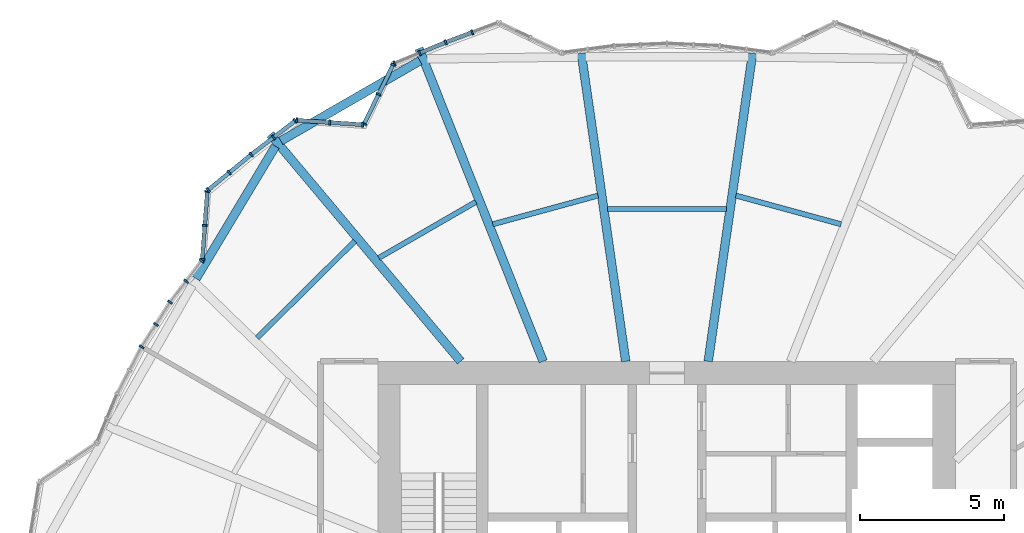
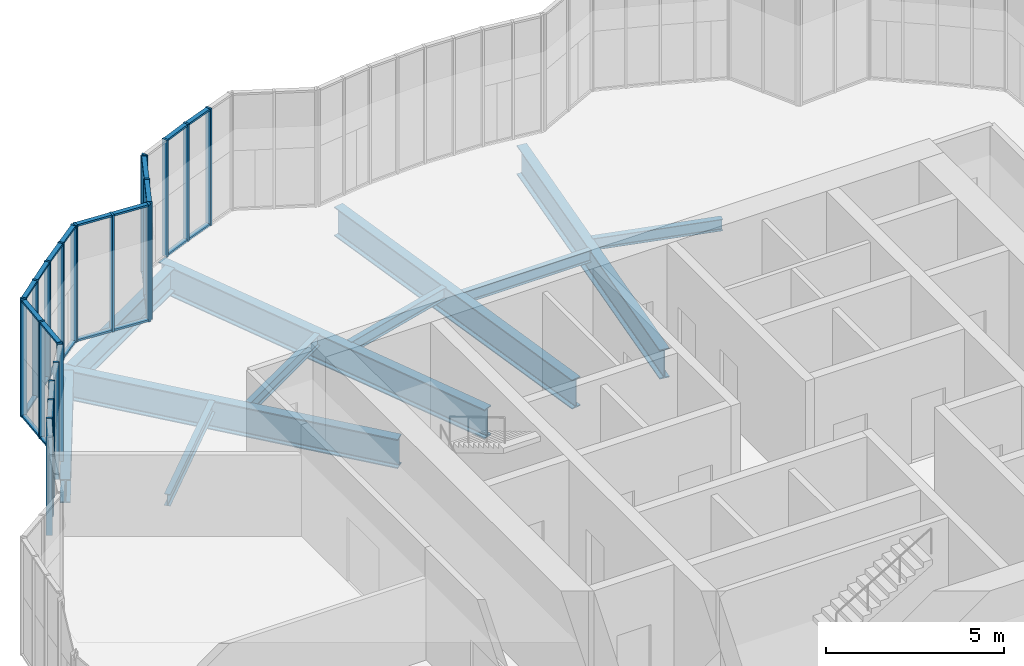
# One storey, part 6 of 22: 47 members, 11 beams, 9 elements without a shape of their own.
"""IFC4 building model written with IfcOpenShell, lengths in metres."""

from ifc_helpers import new_model, si_unit, direction, frame, origin, origin_2d, place, context, subcontext, project, spatial, rectangle, i_section, extrude, material, material_profile, profile_set, type_object, element, aggregate, save


model = new_model("IFC4")

# Units and contexts
model_context = context("Model", 3, precision=1e-05, world=origin(), true_north=direction((0.0, 1.0)))
body_context = subcontext(model_context, "Body", "Model", "MODEL_VIEW")
ifc_project = project(units=[si_unit("LENGTHUNIT", "METRE"), si_unit("AREAUNIT", "SQUARE_METRE"), si_unit("VOLUMEUNIT", "CUBIC_METRE"), si_unit("PLANEANGLEUNIT", "RADIAN"), si_unit("MASSUNIT", "GRAM", prefix="KILO")], contexts=[model_context])

# Site, building, storey
site_placement = place(None, origin())
site = spatial("IfcSite", under=ifc_project, at=site_placement, CompositionType="ELEMENT")
building_placement = place(site_placement, origin())
building = spatial("IfcBuilding", under=site, at=building_placement, Name="Golbaran Civic Tower", CompositionType="ELEMENT")
storey_placement = place(building_placement, frame((0.0, 0.0, 29.0)))
storey = spatial("IfcBuildingStorey", under=building, at=storey_placement, Name="L06", CompositionType="ELEMENT", Elevation=29.0)

# Beams
ifc_material_1 = material(Name="Steel S355", Category="steel")
ifc_material_profile_1 = material_profile(ifc_material_1, i_section(OverallWidth=0.300048828125, OverallDepth=0.800048828125, WebThickness=0.017578125, FlangeThickness=0.032958984375, FilletRadius=0.030029296875, at=origin_2d()), Name="HEB 800")
ifc_profile_set_1 = profile_set([ifc_material_profile_1], Name="Steel S355")
beam_type_1 = type_object("IfcBeamType", Name="EDGE BEAM HEB 800", PredefinedType="BEAM", material=ifc_profile_set_1)
beam_1_placement = place(storey_placement, frame((-8.5556640625, 20.40771484375, -0.60009765625), z_axis=(-0.866363940205, -0.499413178753, 0.0), x_axis=(0.499413178753, -0.866363940205, 0.0)))
element("IfcBeam", 1, at=beam_1_placement, inside=storey, type_object=beam_type_1, Name="Edge beam 112.37 L06", PredefinedType="BEAM", context=body_context, shape_type="SweptSolid", body=[
    extrude(i_section(OverallWidth=0.300048828125, OverallDepth=0.800048828125, WebThickness=0.017578125, FlangeThickness=0.032958984375, FilletRadius=0.030029296875, at=origin_2d()), origin(), (0.0, 0.0, 1.0), 5.558837890625),
])
beam_2_placement = place(storey_placement, frame((-13.556884765625, 17.447509765625, -0.60009765625), z_axis=(-0.514509191059, -0.85748486419, 0.0), x_axis=(0.85748486419, -0.514509191059, 0.0)))
element("IfcBeam", 2, at=beam_2_placement, inside=storey, type_object=beam_type_1, Name="Edge beam 127.63 L06", PredefinedType="BEAM", context=body_context, shape_type="SweptSolid", body=[
    extrude(i_section(OverallWidth=0.300048828125, OverallDepth=0.800048828125, WebThickness=0.017578125, FlangeThickness=0.032958984375, FilletRadius=0.030029296875, at=origin_2d()), origin(), (0.0, 0.0, 1.0), 5.344482421875),
])
ifc_material_profile_2 = material_profile(ifc_material_1, i_section(OverallWidth=0.179931640625, OverallDepth=0.39990234375, WebThickness=0.008544921875, FlangeThickness=0.013427734375, FilletRadius=0.02099609375, at=origin_2d()), Name="IPE 400")
ifc_profile_set_2 = profile_set([ifc_material_profile_2], Name="Steel S355")
beam_type_2 = type_object("IfcBeamType", Name="FLOOR INFILL BEAM IPE 400", PredefinedType="BEAM", material=ifc_profile_set_2)
beam_3_placement = place(storey_placement, frame((6.029052734375, 14.745849609375, -0.39990234375), z_axis=(-0.964690661411, 0.263385511726, 0.0), x_axis=(-0.263385511726, -0.964690661411, 0.0)))
element("IfcBeam", 3, at=beam_3_placement, inside=storey, type_object=beam_type_2, Name="Infill beam 74.73 L06", PredefinedType="BEAM", context=body_context, shape_type="SweptSolid", body=[
    extrude(i_section(OverallWidth=0.179931640625, OverallDepth=0.39990234375, WebThickness=0.008544921875, FlangeThickness=0.013427734375, FilletRadius=0.02099609375, at=origin_2d()), origin(), (0.0, 0.0, 1.0), 3.775390625),
])
beam_4_placement = place(storey_placement, frame((2.056884765625, 15.271728515625, -0.39990234375), z_axis=(-1.0, 0.0, 0.0), x_axis=(0.0, -1.0, 0.0)))
element("IfcBeam", 4, at=beam_4_placement, inside=storey, type_object=beam_type_2, Name="Infill beam 90.00 L06", PredefinedType="BEAM", context=body_context, shape_type="SweptSolid", body=[
    extrude(i_section(OverallWidth=0.179931640625, OverallDepth=0.39990234375, WebThickness=0.008544921875, FlangeThickness=0.013427734375, FilletRadius=0.02099609375, at=origin_2d()), origin(), (0.0, 0.0, 1.0), 4.11376953125),
])
beam_5_placement = place(storey_placement, frame((-2.386962890625, 15.740234375, -0.39990234375), z_axis=(-0.964690661411, -0.263385511726, 0.0), x_axis=(0.263385511726, -0.964690661411, 0.0)))
element("IfcBeam", 5, at=beam_5_placement, inside=storey, type_object=beam_type_2, Name="Infill beam 105.27 L06", PredefinedType="BEAM", context=body_context, shape_type="SweptSolid", body=[
    extrude(i_section(OverallWidth=0.179931640625, OverallDepth=0.39990234375, WebThickness=0.008544921875, FlangeThickness=0.013427734375, FilletRadius=0.02099609375, at=origin_2d()), origin(), (0.0, 0.0, 1.0), 3.775390625),
])
beam_6_placement = place(storey_placement, frame((-6.616455078125, 15.521240234375, -0.39990234375), z_axis=(-0.866023143435, -0.50000391502, 0.0), x_axis=(0.50000391502, -0.866023143435, 0.0)))
element("IfcBeam", 6, at=beam_6_placement, inside=storey, type_object=beam_type_2, Name="Infill beam 120.00 L06", PredefinedType="BEAM", context=body_context, shape_type="SweptSolid", body=[
    extrude(i_section(OverallWidth=0.179931640625, OverallDepth=0.39990234375, WebThickness=0.008544921875, FlangeThickness=0.013427734375, FilletRadius=0.02099609375, at=origin_2d()), origin(), (0.0, 0.0, 1.0), 3.87939453125),
])
beam_7_placement = place(storey_placement, frame((-10.805419921875, 14.166015625, -0.39990234375), z_axis=(-0.710429956517, -0.703767914077, 0.0), x_axis=(0.703767914077, -0.710429956517, 0.0)))
element("IfcBeam", 7, at=beam_7_placement, inside=storey, type_object=beam_type_2, Name="Infill beam 134.73 L06", PredefinedType="BEAM", context=body_context, shape_type="SweptSolid", body=[
    extrude(i_section(OverallWidth=0.179931640625, OverallDepth=0.39990234375, WebThickness=0.008544921875, FlangeThickness=0.013427734375, FilletRadius=0.02099609375, at=origin_2d()), origin(), (0.0, 0.0, 1.0), 4.76416015625),
])

# Curtain wall, members
ifc_material_2 = material(Name="Aluminium and glass", Category="aluminium")
curtain_wall_type = type_object("IfcCurtainWallType", Name="INNER SKIN CURTAIN WALL", PredefinedType="NOTDEFINED", material=ifc_material_2)
curtain_wall_1_placement = place(storey_placement, origin())
curtain_wall_1 = element("IfcCurtainWall", 8, at=curtain_wall_1_placement, inside=storey, type_object=curtain_wall_type, Name="Inner skin L06 facet 22 CW1", ObjectType="INNER SKIN", PredefinedType="USERDEFINED")
ifc_material_3 = material(Name="Aluminium", Category="aluminium")
ifc_material_profile_3 = material_profile(ifc_material_3, rectangle(XDim=0.179931640625, YDim=0.06494140625, at=origin_2d()), Name="INNER SKIN CURTAIN WALL MULLION")
ifc_profile_set_3 = profile_set([ifc_material_profile_3], Name="Aluminium")
member_type_1 = type_object("IfcMemberType", Name="INNER SKIN CURTAIN WALL MULLION", PredefinedType="MULLION", material=ifc_profile_set_3)
member_1_placement = place(storey_placement, frame((-6.7421875, 21.391357421875, 0.0), z_axis=(0.0, 0.0, 1.0), x_axis=(0.350808161461, -0.936447347079, 0.0)))
member_1 = element("IfcMember", 9, at=member_1_placement, type_object=member_type_1, Name="CW1 mullion 2", PredefinedType="MULLION", context=body_context, shape_type="SweptSolid", body=[
    extrude(rectangle(XDim=0.179931640625, YDim=0.06494140625, at=origin_2d()), origin(), (0.0, 0.0, 1.0), 4.0),
])
member_2_placement = place(storey_placement, frame((-7.66064453125, 21.047119140625, 0.0), z_axis=(0.0, 0.0, 1.0), x_axis=(0.366799627817, -0.930299969383, 0.0)))
member_2 = element("IfcMember", 10, at=member_2_placement, type_object=member_type_1, Name="CW1 mullion 3", PredefinedType="MULLION", context=body_context, shape_type="SweptSolid", body=[
    extrude(rectangle(XDim=0.179931640625, YDim=0.06494140625, at=origin_2d()), origin(), (0.0, 0.0, 1.0), 4.0),
])

curtain_wall_2_placement = place(storey_placement, origin())
curtain_wall_2 = element("IfcCurtainWall", 11, at=curtain_wall_2_placement, inside=storey, type_object=curtain_wall_type, Name="Inner skin L06 facet 23 CW1", ObjectType="INNER SKIN", PredefinedType="USERDEFINED")
member_3_placement = place(storey_placement, frame((-8.563232421875, 20.67333984375, 0.0), z_axis=(0.0, 0.0, 1.0), x_axis=(0.382683432268, -0.923879532551, 0.0)))
member_3 = element("IfcMember", 12, at=member_3_placement, type_object=member_type_1, Name="CW1 mullion 2", PredefinedType="MULLION", context=body_context, shape_type="SweptSolid", body=[
    extrude(rectangle(XDim=0.179931640625, YDim=0.06494140625, at=origin_2d()), origin(), (0.0, 0.0, 1.0), 4.0),
])
member_4_placement = place(storey_placement, frame((-9.435791015625, 20.31201171875, 0.0), z_axis=(0.0, 0.0, 1.0), x_axis=(0.382683432268, -0.923879532551, 0.0)))
member_4 = element("IfcMember", 13, at=member_4_placement, type_object=member_type_1, Name="CW1 mullion 3", PredefinedType="MULLION", context=body_context, shape_type="SweptSolid", body=[
    extrude(rectangle(XDim=0.179931640625, YDim=0.06494140625, at=origin_2d()), origin(), (0.0, 0.0, 1.0), 4.0),
])

curtain_wall_3_placement = place(storey_placement, origin())
curtain_wall_3 = element("IfcCurtainWall", 14, at=curtain_wall_3_placement, inside=storey, type_object=curtain_wall_type, Name="Inner skin L06 facet 24 CW1", ObjectType="INNER SKIN", PredefinedType="USERDEFINED")
member_5_placement = place(storey_placement, frame((-9.480224609375, 20.270263671875, 0.0), z_axis=(0.0, 0.0, 1.0), x_axis=(0.897405438418, -0.441206843893, 0.0)))
member_5 = element("IfcMember", 15, at=member_5_placement, type_object=member_type_1, Name="CW1 mullion 1", PredefinedType="MULLION", context=body_context, shape_type="SweptSolid", body=[
    extrude(rectangle(XDim=0.179931640625, YDim=0.06494140625, at=origin_2d()), origin(), (0.0, 0.0, 1.0), 4.0),
])
member_6_placement = place(storey_placement, frame((-9.984130859375, 19.2451171875, 0.0), z_axis=(0.0, 0.0, 1.0), x_axis=(0.897405438418, -0.441206843893, 0.0)))
member_6 = element("IfcMember", 16, at=member_6_placement, type_object=member_type_1, Name="CW1 mullion 2", PredefinedType="MULLION", context=body_context, shape_type="SweptSolid", body=[
    extrude(rectangle(XDim=0.179931640625, YDim=0.06494140625, at=origin_2d()), origin(), (0.0, 0.0, 1.0), 4.0),
])
member_7_placement = place(storey_placement, frame((-10.48828125, 18.219970703125, 0.0), z_axis=(0.0, 0.0, 1.0), x_axis=(0.897405438418, -0.441206843893, 0.0)))
member_7 = element("IfcMember", 17, at=member_7_placement, type_object=member_type_1, Name="CW1 mullion 3", PredefinedType="MULLION", context=body_context, shape_type="SweptSolid", body=[
    extrude(rectangle(XDim=0.179931640625, YDim=0.06494140625, at=origin_2d()), origin(), (0.0, 0.0, 1.0), 4.0),
])

curtain_wall_4_placement = place(storey_placement, origin())
curtain_wall_4 = element("IfcCurtainWall", 18, at=curtain_wall_4_placement, inside=storey, type_object=curtain_wall_type, Name="Inner skin L06 facet 25 CW1", ObjectType="INNER SKIN", PredefinedType="USERDEFINED")
member_8_placement = place(storey_placement, frame((-10.534912109375, 18.193115234375, 0.0), z_axis=(0.0, 0.0, 1.0), x_axis=(-0.066606384387, -0.99777932909, 0.0)))
member_8 = element("IfcMember", 19, at=member_8_placement, type_object=member_type_1, Name="CW1 mullion 1", PredefinedType="MULLION", context=body_context, shape_type="SweptSolid", body=[
    extrude(rectangle(XDim=0.179931640625, YDim=0.06494140625, at=origin_2d()), origin(), (0.0, 0.0, 1.0), 4.0),
])
member_9_placement = place(storey_placement, frame((-11.6748046875, 18.26904296875, 0.0), z_axis=(0.0, 0.0, 1.0), x_axis=(-0.066606384387, -0.99777932909, 0.0)))
member_9 = element("IfcMember", 20, at=member_9_placement, type_object=member_type_1, Name="CW1 mullion 2", PredefinedType="MULLION", context=body_context, shape_type="SweptSolid", body=[
    extrude(rectangle(XDim=0.179931640625, YDim=0.06494140625, at=origin_2d()), origin(), (0.0, 0.0, 1.0), 4.0),
])
member_10_placement = place(storey_placement, frame((-12.814453125, 18.34521484375, 0.0), z_axis=(0.0, 0.0, 1.0), x_axis=(-0.066606384387, -0.99777932909, 0.0)))
member_10 = element("IfcMember", 21, at=member_10_placement, type_object=member_type_1, Name="CW1 mullion 3", PredefinedType="MULLION", context=body_context, shape_type="SweptSolid", body=[
    extrude(rectangle(XDim=0.179931640625, YDim=0.06494140625, at=origin_2d()), origin(), (0.0, 0.0, 1.0), 4.0),
])

curtain_wall_5_placement = place(storey_placement, origin())
curtain_wall_5 = element("IfcCurtainWall", 22, at=curtain_wall_5_placement, inside=storey, type_object=curtain_wall_type, Name="Inner skin L06 facet 26 CW1", ObjectType="INNER SKIN", PredefinedType="USERDEFINED")
member_11_placement = place(storey_placement, frame((-12.872802734375, 18.32763671875, 0.0), z_axis=(0.0, 0.0, 1.0), x_axis=(0.608761428856, -0.793353340408, 0.0)))
member_11 = element("IfcMember", 23, at=member_11_placement, type_object=member_type_1, Name="CW1 mullion 1", PredefinedType="MULLION", context=body_context, shape_type="SweptSolid", body=[
    extrude(rectangle(XDim=0.179931640625, YDim=0.06494140625, at=origin_2d()), origin(), (0.0, 0.0, 1.0), 4.0),
])
member_12_placement = place(storey_placement, frame((-13.6220703125, 17.752685546875, 0.0), z_axis=(0.0, 0.0, 1.0), x_axis=(0.608761428856, -0.793353340408, 0.0)))
member_12 = element("IfcMember", 24, at=member_12_placement, type_object=member_type_1, Name="CW1 mullion 2", PredefinedType="MULLION", context=body_context, shape_type="SweptSolid", body=[
    extrude(rectangle(XDim=0.179931640625, YDim=0.06494140625, at=origin_2d()), origin(), (0.0, 0.0, 1.0), 4.0),
])
member_13_placement = place(storey_placement, frame((-14.397216796875, 17.157958984375, 0.0), z_axis=(0.0, 0.0, 1.0), x_axis=(0.622263592648, -0.782807780534, 0.0)))
member_13 = element("IfcMember", 25, at=member_13_placement, type_object=member_type_1, Name="CW1 mullion 3", PredefinedType="MULLION", context=body_context, shape_type="SweptSolid", body=[
    extrude(rectangle(XDim=0.179931640625, YDim=0.06494140625, at=origin_2d()), origin(), (0.0, 0.0, 1.0), 4.0),
])

curtain_wall_6_placement = place(storey_placement, origin())
curtain_wall_6 = element("IfcCurtainWall", 26, at=curtain_wall_6_placement, inside=storey, type_object=curtain_wall_type, Name="Inner skin L06 facet 27 CW1", ObjectType="INNER SKIN", PredefinedType="USERDEFINED")
member_14_placement = place(storey_placement, frame((-15.154296875, 16.53466796875, 0.0), z_axis=(0.0, 0.0, 1.0), x_axis=(0.63558311147, -0.772032452954, 0.0)))
member_14 = element("IfcMember", 27, at=member_14_placement, type_object=member_type_1, Name="CW1 mullion 2", PredefinedType="MULLION", context=body_context, shape_type="SweptSolid", body=[
    extrude(rectangle(XDim=0.179931640625, YDim=0.06494140625, at=origin_2d()), origin(), (0.0, 0.0, 1.0), 4.0),
])
member_15_placement = place(storey_placement, frame((-15.88623046875, 15.931884765625, 0.0), z_axis=(0.0, 0.0, 1.0), x_axis=(0.63558311147, -0.772032452954, 0.0)))
member_15 = element("IfcMember", 28, at=member_15_placement, type_object=member_type_1, Name="CW1 mullion 3", PredefinedType="MULLION", context=body_context, shape_type="SweptSolid", body=[
    extrude(rectangle(XDim=0.179931640625, YDim=0.06494140625, at=origin_2d()), origin(), (0.0, 0.0, 1.0), 4.0),
])

curtain_wall_7_placement = place(storey_placement, origin())
curtain_wall_7 = element("IfcCurtainWall", 29, at=curtain_wall_7_placement, inside=storey, type_object=curtain_wall_type, Name="Inner skin L06 facet 28 CW1", ObjectType="INNER SKIN", PredefinedType="USERDEFINED")
member_16_placement = place(storey_placement, frame((-15.913818359375, 15.87890625, 0.0), z_axis=(0.0, 0.0, 1.0), x_axis=(0.997238388272, -0.074267065092, 0.0)))
member_16 = element("IfcMember", 30, at=member_16_placement, type_object=member_type_1, Name="CW1 mullion 1", PredefinedType="MULLION", context=body_context, shape_type="SweptSolid", body=[
    extrude(rectangle(XDim=0.179931640625, YDim=0.06494140625, at=origin_2d()), origin(), (0.0, 0.0, 1.0), 4.0),
])
member_17_placement = place(storey_placement, frame((-16.0009765625, 14.70654296875, 0.0), z_axis=(0.0, 0.0, 1.0), x_axis=(0.997238388272, -0.074267065092, 0.0)))
member_17 = element("IfcMember", 31, at=member_17_placement, type_object=member_type_1, Name="CW1 mullion 2", PredefinedType="MULLION", context=body_context, shape_type="SweptSolid", body=[
    extrude(rectangle(XDim=0.179931640625, YDim=0.06494140625, at=origin_2d()), origin(), (0.0, 0.0, 1.0), 4.0),
])
member_18_placement = place(storey_placement, frame((-16.08837890625, 13.5341796875, 0.0), z_axis=(0.0, 0.0, 1.0), x_axis=(0.997238388272, -0.074267065092, 0.0)))
member_18 = element("IfcMember", 32, at=member_18_placement, type_object=member_type_1, Name="CW1 mullion 3", PredefinedType="MULLION", context=body_context, shape_type="SweptSolid", body=[
    extrude(rectangle(XDim=0.179931640625, YDim=0.06494140625, at=origin_2d()), origin(), (0.0, 0.0, 1.0), 4.0),
])

curtain_wall_8_placement = place(storey_placement, origin())
curtain_wall_8 = element("IfcCurtainWall", 33, at=curtain_wall_8_placement, inside=storey, type_object=curtain_wall_type, Name="Inner skin L06 facet 29 CW1", ObjectType="INNER SKIN", PredefinedType="USERDEFINED")
member_19_placement = place(storey_placement, frame((-16.110595703125, 13.47607421875, 0.0), z_axis=(0.0, 0.0, 1.0), x_axis=(0.793353340259, -0.60876142905, 0.0)))
member_19 = element("IfcMember", 34, at=member_19_placement, type_object=member_type_1, Name="CW1 mullion 1", PredefinedType="MULLION", context=body_context, shape_type="SweptSolid", body=[
    extrude(rectangle(XDim=0.179931640625, YDim=0.06494140625, at=origin_2d()), origin(), (0.0, 0.0, 1.0), 4.0),
])
member_20_placement = place(storey_placement, frame((-16.6484375, 12.77490234375, 0.0), z_axis=(0.0, 0.0, 1.0), x_axis=(0.793353340259, -0.60876142905, 0.0)))
member_20 = element("IfcMember", 35, at=member_20_placement, type_object=member_type_1, Name="CW1 mullion 2", PredefinedType="MULLION", context=body_context, shape_type="SweptSolid", body=[
    extrude(rectangle(XDim=0.179931640625, YDim=0.06494140625, at=origin_2d()), origin(), (0.0, 0.0, 1.0), 4.0),
])
member_21_placement = place(storey_placement, frame((-17.206298828125, 12.0478515625, 0.0), z_axis=(0.0, 0.0, 1.0), x_axis=(0.819152044269, -0.57357643638, 0.0)))
member_21 = element("IfcMember", 36, at=member_21_placement, type_object=member_type_1, Name="CW1 mullion 3", PredefinedType="MULLION", context=body_context, shape_type="SweptSolid", body=[
    extrude(rectangle(XDim=0.179931640625, YDim=0.06494140625, at=origin_2d()), origin(), (0.0, 0.0, 1.0), 4.0),
])
aggregate(curtain_wall_8, [member_19, member_20, member_21])

curtain_wall_9_placement = place(storey_placement, origin())
curtain_wall_9 = element("IfcCurtainWall", 37, at=curtain_wall_9_placement, inside=storey, type_object=curtain_wall_type, Name="Inner skin L06 facet 30 CW1", ObjectType="INNER SKIN", PredefinedType="USERDEFINED")
member_22_placement = place(storey_placement, frame((-17.698486328125, 11.275146484375, 0.0), z_axis=(0.0, 0.0, 1.0), x_axis=(0.843391445935, -0.537299608155, 0.0)))
member_22 = element("IfcMember", 38, at=member_22_placement, type_object=member_type_1, Name="CW1 mullion 2", PredefinedType="MULLION", context=body_context, shape_type="SweptSolid", body=[
    extrude(rectangle(XDim=0.179931640625, YDim=0.06494140625, at=origin_2d()), origin(), (0.0, 0.0, 1.0), 4.0),
])
member_23_placement = place(storey_placement, frame((-18.19091796875, 10.50244140625, 0.0), z_axis=(0.0, 0.0, 1.0), x_axis=(0.866025403784, -0.5, 0.0)))
member_23 = element("IfcMember", 39, at=member_23_placement, type_object=member_type_1, Name="CW1 mullion 3", PredefinedType="MULLION", context=body_context, shape_type="SweptSolid", body=[
    extrude(rectangle(XDim=0.179931640625, YDim=0.06494140625, at=origin_2d()), origin(), (0.0, 0.0, 1.0), 4.0),
])
aggregate(curtain_wall_9, [member_22, member_23])

# Member
ifc_material_profile_4 = material_profile(ifc_material_3, rectangle(XDim=0.139892578125, YDim=0.06494140625, at=origin_2d()), Name="INNER SKIN CURTAIN WALL TRANSOM")
ifc_profile_set_4 = profile_set([ifc_material_profile_4], Name="Aluminium")
member_type_2 = type_object("IfcMemberType", Name="INNER SKIN CURTAIN WALL TRANSOM", PredefinedType="USERDEFINED", material=ifc_profile_set_4)
member_24_placement = place(storey_placement, frame((-6.772705078125, 21.3798828125, 0.032470703125), z_axis=(-0.936416808714, -0.35088966978, 0.0), x_axis=(0.35088966978, -0.936416808714, 0.0)))
member_24 = element("IfcMember", 40, at=member_24_placement, type_object=member_type_2, Name="CW1 transom 2.1", ObjectType="TRANSOM", PredefinedType="USERDEFINED", context=body_context, shape_type="SweptSolid", body=[
    extrude(rectangle(XDim=0.139892578125, YDim=0.06494140625, at=origin_2d()), origin(), (0.0, 0.0, 1.0), 0.91552734375),
])

member_25_placement = place(storey_placement, frame((-6.772705078125, 21.3798828125, 3.967529296875), z_axis=(-0.936416808714, -0.35088966978, 0.0), x_axis=(0.35088966978, -0.936416808714, 0.0)))
member_25 = element("IfcMember", 41, at=member_25_placement, type_object=member_type_2, Name="CW1 transom 2.2", ObjectType="TRANSOM", PredefinedType="USERDEFINED", context=body_context, shape_type="SweptSolid", body=[
    extrude(rectangle(XDim=0.139892578125, YDim=0.06494140625, at=origin_2d()), origin(), (0.0, 0.0, 1.0), 0.91552734375),
])

aggregate(curtain_wall_1, [member_1, member_2, member_24, member_25])

member_26_placement = place(storey_placement, frame((-7.690673828125, 21.034912109375, 0.032470703125), z_axis=(-0.923827563852, -0.382808871721, 0.0), x_axis=(0.382808871721, -0.923827563852, 0.0)))
member_26 = element("IfcMember", 42, at=member_26_placement, type_object=member_type_2, Name="CW1 transom 1.1", ObjectType="TRANSOM", PredefinedType="USERDEFINED", context=body_context, shape_type="SweptSolid", body=[
    extrude(rectangle(XDim=0.139892578125, YDim=0.06494140625, at=origin_2d()), origin(), (0.0, 0.0, 1.0), 0.912109375),
])

member_27_placement = place(storey_placement, frame((-7.690673828125, 21.034912109375, 3.967529296875), z_axis=(-0.923827563852, -0.382808871721, 0.0), x_axis=(0.382808871721, -0.923827563852, 0.0)))
member_27 = element("IfcMember", 43, at=member_27_placement, type_object=member_type_2, Name="CW1 transom 1.2", ObjectType="TRANSOM", PredefinedType="USERDEFINED", context=body_context, shape_type="SweptSolid", body=[
    extrude(rectangle(XDim=0.139892578125, YDim=0.06494140625, at=origin_2d()), origin(), (0.0, 0.0, 1.0), 0.912109375),
])

aggregate(curtain_wall_2, [member_3, member_4, member_26, member_27])

member_28_placement = place(storey_placement, frame((-9.494384765625, 20.2412109375, 0.032470703125), z_axis=(-0.441220934431, -0.897398510707, 0.0), x_axis=(0.897398510707, -0.441220934431, 0.0)))
member_28 = element("IfcMember", 44, at=member_28_placement, type_object=member_type_2, Name="CW1 transom 1.1", ObjectType="TRANSOM", PredefinedType="USERDEFINED", context=body_context, shape_type="SweptSolid", body=[
    extrude(rectangle(XDim=0.139892578125, YDim=0.06494140625, at=origin_2d()), origin(), (0.0, 0.0, 1.0), 1.077392578125),
])

member_29_placement = place(storey_placement, frame((-9.494384765625, 20.2412109375, 3.967529296875), z_axis=(-0.441220934431, -0.897398510707, 0.0), x_axis=(0.897398510707, -0.441220934431, 0.0)))
member_29 = element("IfcMember", 45, at=member_29_placement, type_object=member_type_2, Name="CW1 transom 1.2", ObjectType="TRANSOM", PredefinedType="USERDEFINED", context=body_context, shape_type="SweptSolid", body=[
    extrude(rectangle(XDim=0.139892578125, YDim=0.06494140625, at=origin_2d()), origin(), (0.0, 0.0, 1.0), 1.077392578125),
])

member_30_placement = place(storey_placement, frame((-9.99853515625, 19.216064453125, 0.032470703125), z_axis=(-0.441220934431, -0.897398510707, 0.0), x_axis=(0.897398510707, -0.441220934431, 0.0)))
member_30 = element("IfcMember", 46, at=member_30_placement, type_object=member_type_2, Name="CW1 transom 2.1", ObjectType="TRANSOM", PredefinedType="USERDEFINED", context=body_context, shape_type="SweptSolid", body=[
    extrude(rectangle(XDim=0.139892578125, YDim=0.06494140625, at=origin_2d()), origin(), (0.0, 0.0, 1.0), 1.077392578125),
])

member_31_placement = place(storey_placement, frame((-9.99853515625, 19.216064453125, 3.967529296875), z_axis=(-0.441220934431, -0.897398510707, 0.0), x_axis=(0.897398510707, -0.441220934431, 0.0)))
member_31 = element("IfcMember", 47, at=member_31_placement, type_object=member_type_2, Name="CW1 transom 2.2", ObjectType="TRANSOM", PredefinedType="USERDEFINED", context=body_context, shape_type="SweptSolid", body=[
    extrude(rectangle(XDim=0.139892578125, YDim=0.06494140625, at=origin_2d()), origin(), (0.0, 0.0, 1.0), 1.077392578125),
])

aggregate(curtain_wall_3, [member_5, member_6, member_7, member_28, member_29, member_30, member_31])

member_32_placement = place(storey_placement, frame((-10.5673828125, 18.1953125, 0.032470703125), z_axis=(-0.99779317243, 0.066398682608, 0.0), x_axis=(-0.066398682608, -0.99779317243, 0.0)))
member_32 = element("IfcMember", 48, at=member_32_placement, type_object=member_type_2, Name="CW1 transom 1.1", ObjectType="TRANSOM", PredefinedType="USERDEFINED", context=body_context, shape_type="SweptSolid", body=[
    extrude(rectangle(XDim=0.139892578125, YDim=0.06494140625, at=origin_2d()), origin(), (0.0, 0.0, 1.0), 1.077392578125),
])

member_33_placement = place(storey_placement, frame((-10.5673828125, 18.1953125, 3.967529296875), z_axis=(-0.99779317243, 0.066398682608, 0.0), x_axis=(-0.066398682608, -0.99779317243, 0.0)))
member_33 = element("IfcMember", 49, at=member_33_placement, type_object=member_type_2, Name="CW1 transom 1.2", ObjectType="TRANSOM", PredefinedType="USERDEFINED", context=body_context, shape_type="SweptSolid", body=[
    extrude(rectangle(XDim=0.139892578125, YDim=0.06494140625, at=origin_2d()), origin(), (0.0, 0.0, 1.0), 1.077392578125),
])

member_34_placement = place(storey_placement, frame((-11.707275390625, 18.271240234375, 0.032470703125), z_axis=(-0.997778133307, 0.06662429507, 0.0), x_axis=(-0.06662429507, -0.997778133307, 0.0)))
member_34 = element("IfcMember", 50, at=member_34_placement, type_object=member_type_2, Name="CW1 transom 2.1", ObjectType="TRANSOM", PredefinedType="USERDEFINED", context=body_context, shape_type="SweptSolid", body=[
    extrude(rectangle(XDim=0.139892578125, YDim=0.06494140625, at=origin_2d()), origin(), (0.0, 0.0, 1.0), 1.077392578125),
])

member_35_placement = place(storey_placement, frame((-11.707275390625, 18.271240234375, 3.967529296875), z_axis=(-0.997778133307, 0.06662429507, 0.0), x_axis=(-0.06662429507, -0.997778133307, 0.0)))
member_35 = element("IfcMember", 51, at=member_35_placement, type_object=member_type_2, Name="CW1 transom 2.2", ObjectType="TRANSOM", PredefinedType="USERDEFINED", context=body_context, shape_type="SweptSolid", body=[
    extrude(rectangle(XDim=0.139892578125, YDim=0.06494140625, at=origin_2d()), origin(), (0.0, 0.0, 1.0), 1.077392578125),
])

aggregate(curtain_wall_4, [member_8, member_9, member_10, member_32, member_33, member_34, member_35])

member_36_placement = place(storey_placement, frame((-12.8984375, 18.307861328125, 0.032470703125), z_axis=(-0.793356092885, -0.608757841742, 0.0), x_axis=(0.608757841742, -0.793356092885, 0.0)))
member_36 = element("IfcMember", 52, at=member_36_placement, type_object=member_type_2, Name="CW1 transom 1.1", ObjectType="TRANSOM", PredefinedType="USERDEFINED", context=body_context, shape_type="SweptSolid", body=[
    extrude(rectangle(XDim=0.139892578125, YDim=0.06494140625, at=origin_2d()), origin(), (0.0, 0.0, 1.0), 0.87939453125),
])

member_37_placement = place(storey_placement, frame((-12.8984375, 18.307861328125, 3.967529296875), z_axis=(-0.793356092885, -0.608757841742, 0.0), x_axis=(0.608757841742, -0.793356092885, 0.0)))
member_37 = element("IfcMember", 53, at=member_37_placement, type_object=member_type_2, Name="CW1 transom 1.2", ObjectType="TRANSOM", PredefinedType="USERDEFINED", context=body_context, shape_type="SweptSolid", body=[
    extrude(rectangle(XDim=0.139892578125, YDim=0.06494140625, at=origin_2d()), origin(), (0.0, 0.0, 1.0), 0.87939453125),
])

member_38_placement = place(storey_placement, frame((-13.64794921875, 17.73291015625, 0.032470703125), z_axis=(-0.793300304283, -0.608830540648, 0.0), x_axis=(0.608830540648, -0.793300304283, 0.0)))
member_38 = element("IfcMember", 54, at=member_38_placement, type_object=member_type_2, Name="CW1 transom 2.1", ObjectType="TRANSOM", PredefinedType="USERDEFINED", context=body_context, shape_type="SweptSolid", body=[
    extrude(rectangle(XDim=0.139892578125, YDim=0.06494140625, at=origin_2d()), origin(), (0.0, 0.0, 1.0), 0.911865234375),
])

member_39_placement = place(storey_placement, frame((-13.64794921875, 17.73291015625, 3.967529296875), z_axis=(-0.793300304283, -0.608830540648, 0.0), x_axis=(0.608830540648, -0.793300304283, 0.0)))
member_39 = element("IfcMember", 55, at=member_39_placement, type_object=member_type_2, Name="CW1 transom 2.2", ObjectType="TRANSOM", PredefinedType="USERDEFINED", context=body_context, shape_type="SweptSolid", body=[
    extrude(rectangle(XDim=0.139892578125, YDim=0.06494140625, at=origin_2d()), origin(), (0.0, 0.0, 1.0), 0.911865234375),
])

aggregate(curtain_wall_5, [member_11, member_12, member_13, member_36, member_37, member_38, member_39])

member_40_placement = place(storey_placement, frame((-14.42236328125, 17.13720703125, 0.032470703125), z_axis=(-0.771945629495, -0.635688559833, 0.0), x_axis=(0.635688559833, -0.771945629495, 0.0)))
member_40 = element("IfcMember", 56, at=member_40_placement, type_object=member_type_2, Name="CW1 transom 1.1", ObjectType="TRANSOM", PredefinedType="USERDEFINED", context=body_context, shape_type="SweptSolid", body=[
    extrude(rectangle(XDim=0.139892578125, YDim=0.06494140625, at=origin_2d()), origin(), (0.0, 0.0, 1.0), 0.91552734375),
])

member_41_placement = place(storey_placement, frame((-14.42236328125, 17.13720703125, 3.967529296875), z_axis=(-0.771945629495, -0.635688559833, 0.0), x_axis=(0.635688559833, -0.771945629495, 0.0)))
member_41 = element("IfcMember", 57, at=member_41_placement, type_object=member_type_2, Name="CW1 transom 1.2", ObjectType="TRANSOM", PredefinedType="USERDEFINED", context=body_context, shape_type="SweptSolid", body=[
    extrude(rectangle(XDim=0.139892578125, YDim=0.06494140625, at=origin_2d()), origin(), (0.0, 0.0, 1.0), 0.91552734375),
])

member_42_placement = place(storey_placement, frame((-15.179443359375, 16.513916015625, 0.032470703125), z_axis=(-0.771970140389, -0.635658793967, 0.0), x_axis=(0.635658793967, -0.771970140389, 0.0)))
member_42 = element("IfcMember", 58, at=member_42_placement, type_object=member_type_2, Name="CW1 transom 2.1", ObjectType="TRANSOM", PredefinedType="USERDEFINED", context=body_context, shape_type="SweptSolid", body=[
    extrude(rectangle(XDim=0.139892578125, YDim=0.06494140625, at=origin_2d()), origin(), (0.0, 0.0, 1.0), 0.883056640625),
])

member_43_placement = place(storey_placement, frame((-15.179443359375, 16.513916015625, 3.967529296875), z_axis=(-0.771970140389, -0.635658793967, 0.0), x_axis=(0.635658793967, -0.771970140389, 0.0)))
member_43 = element("IfcMember", 59, at=member_43_placement, type_object=member_type_2, Name="CW1 transom 2.2", ObjectType="TRANSOM", PredefinedType="USERDEFINED", context=body_context, shape_type="SweptSolid", body=[
    extrude(rectangle(XDim=0.139892578125, YDim=0.06494140625, at=origin_2d()), origin(), (0.0, 0.0, 1.0), 0.883056640625),
])

aggregate(curtain_wall_6, [member_14, member_15, member_40, member_41, member_42, member_43])

member_44_placement = place(storey_placement, frame((-15.916259765625, 15.846435546875, 0.032470703125), z_axis=(-0.074090336629, -0.997251533976, 0.0), x_axis=(0.997251533976, -0.074090336629, 0.0)))
member_44 = element("IfcMember", 60, at=member_44_placement, type_object=member_type_2, Name="CW1 transom 1.1", ObjectType="TRANSOM", PredefinedType="USERDEFINED", context=body_context, shape_type="SweptSolid", body=[
    extrude(rectangle(XDim=0.139892578125, YDim=0.06494140625, at=origin_2d()), origin(), (0.0, 0.0, 1.0), 1.110595703125),
])

member_45_placement = place(storey_placement, frame((-15.916259765625, 15.846435546875, 3.967529296875), z_axis=(-0.074090336629, -0.997251533976, 0.0), x_axis=(0.997251533976, -0.074090336629, 0.0)))
member_45 = element("IfcMember", 61, at=member_45_placement, type_object=member_type_2, Name="CW1 transom 1.2", ObjectType="TRANSOM", PredefinedType="USERDEFINED", context=body_context, shape_type="SweptSolid", body=[
    extrude(rectangle(XDim=0.139892578125, YDim=0.06494140625, at=origin_2d()), origin(), (0.0, 0.0, 1.0), 1.110595703125),
])

member_46_placement = place(storey_placement, frame((-16.00341796875, 14.674072265625, 0.032470703125), z_axis=(-0.074308977059, -0.997235266087, 0.0), x_axis=(0.997235266087, -0.074308977059, 0.0)))
member_46 = element("IfcMember", 62, at=member_46_placement, type_object=member_type_2, Name="CW1 transom 2.1", ObjectType="TRANSOM", PredefinedType="USERDEFINED", context=body_context, shape_type="SweptSolid", body=[
    extrude(rectangle(XDim=0.139892578125, YDim=0.06494140625, at=origin_2d()), origin(), (0.0, 0.0, 1.0), 1.110595703125),
])

member_47_placement = place(storey_placement, frame((-16.00341796875, 14.674072265625, 3.967529296875), z_axis=(-0.074308977059, -0.997235266087, 0.0), x_axis=(0.997235266087, -0.074308977059, 0.0)))
member_47 = element("IfcMember", 63, at=member_47_placement, type_object=member_type_2, Name="CW1 transom 2.2", ObjectType="TRANSOM", PredefinedType="USERDEFINED", context=body_context, shape_type="SweptSolid", body=[
    extrude(rectangle(XDim=0.139892578125, YDim=0.06494140625, at=origin_2d()), origin(), (0.0, 0.0, 1.0), 1.110595703125),
])

aggregate(curtain_wall_7, [member_16, member_17, member_18, member_44, member_45, member_46, member_47])

# Beams
ifc_material_profile_5 = material_profile(ifc_material_1, i_section(OverallWidth=0.300048828125, OverallDepth=1.0, WebThickness=0.01904296875, FlangeThickness=0.035888671875, FilletRadius=0.030029296875, at=origin_2d()), Name="HEB 1000")
ifc_profile_set_5 = profile_set([ifc_material_profile_5], Name="Steel S355")
beam_type_3 = type_object("IfcBeamType", Name="RADIAL FLOOR BEAM HEB 1000", PredefinedType="BEAM", material=ifc_profile_set_5)
for number, where, z_axis, x_axis, name in (
    (64, (1.428466796875, 10.0, -0.7099609375), (0.142629809072, 0.989776104765, 0.0), (-0.989776104765, 0.142629809072, 0.0), "Radial beam 81.83 L06"),
    (65, (-1.428466796875, 10.0, -0.7099609375), (-0.142629809072, 0.989776104765, 0.0), (-0.989776104765, -0.142629809072, 0.0), "Radial beam 98.17 L06"),
):
    element("IfcBeam", number, at=place(storey_placement, frame(where, z_axis=z_axis, x_axis=x_axis)), inside=storey, type_object=beam_type_3, Name=name, PredefinedType="BEAM", context=body_context, shape_type="SweptSolid", body=[
        extrude(i_section(OverallWidth=0.300048828125, OverallDepth=1.0, WebThickness=0.01904296875, FlangeThickness=0.035888671875, FilletRadius=0.030029296875, at=origin_2d()), origin(), (0.0, 0.0, 1.0), 10.775146484375),
    ])
beam_8_placement = place(storey_placement, frame((-4.28564453125, 10.0, -0.7099609375), z_axis=(-0.368861889552, 0.92948421527, 0.0), x_axis=(-0.92948421527, -0.368861889552, 0.0)))
element("IfcBeam", 66, at=beam_8_placement, inside=storey, type_object=beam_type_3, Name="Radial beam 112.37 L06", PredefinedType="BEAM", context=body_context, shape_type="SweptSolid", body=[
    extrude(i_section(OverallWidth=0.300048828125, OverallDepth=1.0, WebThickness=0.01904296875, FlangeThickness=0.035888671875, FilletRadius=0.030029296875, at=origin_2d()), origin(), (0.0, 0.0, 1.0), 11.658203125),
])
beam_9_placement = place(storey_placement, frame((-7.142822265625, 10.0, -0.7099609375), z_axis=(-0.642484295508, 0.766298851641, 0.0), x_axis=(-0.766298851641, -0.642484295508, 0.0)))
element("IfcBeam", 67, at=beam_9_placement, inside=storey, type_object=beam_type_3, Name="Radial beam 127.63 L06", PredefinedType="BEAM", context=body_context, shape_type="SweptSolid", body=[
    extrude(i_section(OverallWidth=0.300048828125, OverallDepth=1.0, WebThickness=0.01904296875, FlangeThickness=0.035888671875, FilletRadius=0.030029296875, at=origin_2d()), origin(), (0.0, 0.0, 1.0), 10.261474609375),
])

save(model, "model.ifc")
